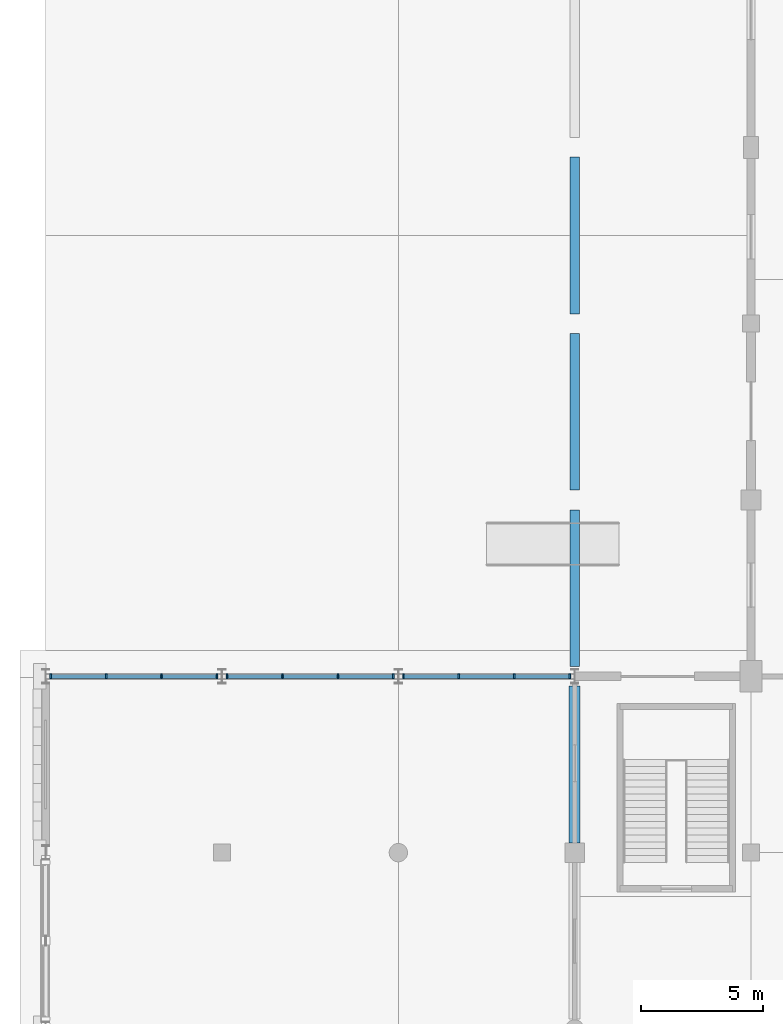
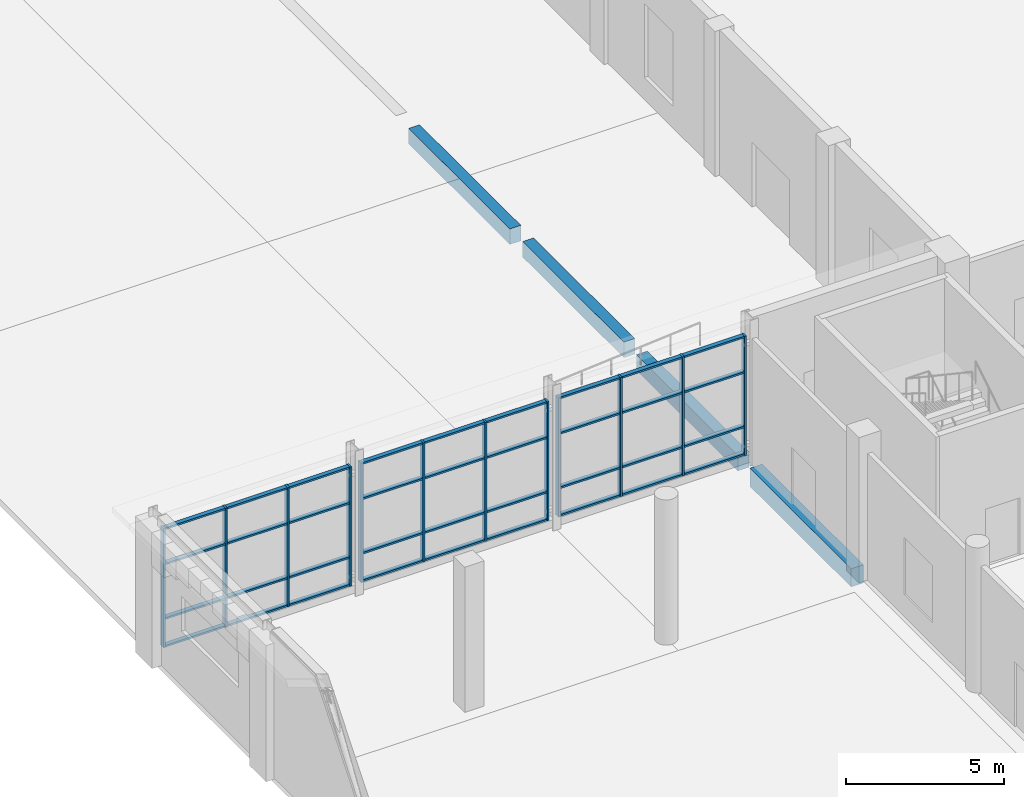
# One storey, part 20 of 85: 48 members, 4 beams, 3 elements without a shape of their own.
"""IFC4 building model written with IfcOpenShell, lengths in metres."""

import ifcopenshell
import ifcopenshell.guid

model = None  # the IFC model being written
_history = None  # IfcOwnerHistory: only IFC2X3 demands one
_inside = {}  # id of a spatial element -> (the spatial element, [elements in it])
_under = {}  # id of a project, library or spatial element -> (it, [spatial elements below it])
_declared = {}  # id of a project -> (the project, [libraries it declares])
_typed = {}  # id of a type object -> (the type object, [elements of that type])
_made_of = {}  # id of a material, layer set ... -> (it, [elements and type objects made of it])


def new_model(schema):
    """Start an empty IFC model of exactly this schema.

    Asked for "IFC4X3", IfcOpenShell would pick the latest addendum, in which some entities
    have other attributes; the version numbers below select the first issue.
    IFC2X3 requires an IfcOwnerHistory on every rooted entity: one is made here for all.
    """
    global model, _history
    if schema == "IFC4X3":
        model = ifcopenshell.file(schema_version=(4, 3, 0, 0))
    else:
        model = ifcopenshell.file(schema=schema)
    _inside.clear()
    _under.clear()
    _declared.clear()
    _typed.clear()
    _made_of.clear()
    _history = None
    if model.schema == "IFC2X3":
        org = make("IfcOrganization", Name="unknown")
        user = make(
            "IfcPersonAndOrganization",
            ThePerson=make("IfcPerson", FamilyName="unknown"),
            TheOrganization=org,
        )
        app = make(
            "IfcApplication",
            ApplicationDeveloper=org,
            Version="unknown",
            ApplicationFullName="unknown",
            ApplicationIdentifier="unknown",
        )
        _history = make(
            "IfcOwnerHistory",
            OwningUser=user,
            OwningApplication=app,
            ChangeAction="ADDED",
            CreationDate=0,
        )
    return model


def make(cls, **values):
    """One entity of the class cls with the attributes given. An attribute that is None is left unset."""
    return model.create_entity(
        cls, **{name: value for name, value in values.items() if value is not None}
    )


def rooted(cls, **values):
    """An entity with a GlobalId (a new one), such as an element, a storey or a relation."""
    return make(cls, GlobalId=ifcopenshell.guid.new(), OwnerHistory=_history, **values)


def si_unit(unit_type, name, prefix=None):
    """IfcSIUnit, for example si_unit("LENGTHUNIT", "METRE", prefix="MILLI")."""
    return make("IfcSIUnit", UnitType=unit_type, Prefix=prefix, Name=name)


def assignment(units):
    """IfcUnitAssignment: the units of a project."""
    return None if units is None else make("IfcUnitAssignment", Units=units)


def point(xyz):
    """IfcCartesianPoint."""
    return None if xyz is None else make("IfcCartesianPoint", Coordinates=xyz)


def direction(xyz):
    """IfcDirection."""
    return None if xyz is None else make("IfcDirection", DirectionRatios=xyz)


def frame(location, z_axis=None, x_axis=None):
    """IfcAxis2Placement3D, a coordinate frame: its origin and axes. An axis left out is left unset."""
    return make(
        "IfcAxis2Placement3D",
        Location=point(location),
        Axis=direction(z_axis),
        RefDirection=direction(x_axis),
    )


def frame_2d(location, x_axis=None):
    """IfcAxis2Placement2D, a coordinate frame in the plane: its origin and x axis."""
    return make(
        "IfcAxis2Placement2D", Location=point(location), RefDirection=direction(x_axis)
    )


def origin():
    """The frame at (0, 0, 0) with its axes left unset."""
    return frame((0.0, 0.0, 0.0))


def origin_2d():
    """The frame at (0, 0) in the plane with its x axis left unset."""
    return frame_2d((0.0, 0.0))


def place(relative_to, where):
    """IfcLocalPlacement: puts the frame where relative to a parent placement (None: the world)."""
    return make(
        "IfcLocalPlacement", PlacementRelTo=relative_to, RelativePlacement=where
    )


def context(
    kind, dimensions, precision=None, world=None, true_north=None, identifier=None
):
    """IfcGeometricRepresentationContext, for example the 3D "Model" context."""
    return make(
        "IfcGeometricRepresentationContext",
        ContextIdentifier=identifier,
        ContextType=kind,
        CoordinateSpaceDimension=dimensions,
        Precision=precision,
        WorldCoordinateSystem=world,
        TrueNorth=true_north,
    )


def subcontext(parent, identifier, kind, view, scale=None):
    """IfcGeometricRepresentationSubContext, for example "Body" below "Model"."""
    return make(
        "IfcGeometricRepresentationSubContext",
        ContextIdentifier=identifier,
        ContextType=kind,
        ParentContext=parent,
        TargetScale=scale,
        TargetView=view,
    )


def project(units=None, contexts=None):
    """IfcProject with its units and contexts."""
    return rooted(
        "IfcProject",
        Name="project",
        RepresentationContexts=contexts,
        UnitsInContext=assignment(units),
    )


def spatial(cls, under=None, at=None, **own):
    """A site, building, storey or space (cls), placed at a placement, below another one or the project."""
    s = rooted(cls, ObjectPlacement=at, **own)
    if under is not None:
        _under.setdefault(under.id(), (under, []))[1].append(s)
    return s


def profile(cls, at=None, kind="AREA", **sizes):
    """A parametric profile (cls). Its sizes go by their IFC names, for example OverallWidth=200.0."""
    return make(cls, ProfileType=kind, Position=at, **sizes)


def rectangle(**sizes):
    """IfcRectangleProfileDef."""
    return profile("IfcRectangleProfileDef", **sizes)


def extrude(swept, where, along, depth):
    """IfcExtrudedAreaSolid: the profile swept, set in the frame where, extruded along a direction by depth."""
    return make(
        "IfcExtrudedAreaSolid",
        SweptArea=swept,
        Position=where,
        ExtrudedDirection=direction(along),
        Depth=depth,
    )


def shape(context_of_items, identifier, shape_type, items):
    """IfcShapeRepresentation: the items that make up one representation, for example the "Body"."""
    return make(
        "IfcShapeRepresentation",
        ContextOfItems=context_of_items,
        RepresentationIdentifier=identifier,
        RepresentationType=shape_type,
        Items=items,
    )


def material(Name=None, Category=None):
    """IfcMaterial."""
    return make("IfcMaterial", Name=Name, Category=Category)


def material_profile(
    of_material, cross_section, Name=None, Category=None, Priority=None
):
    """IfcMaterialProfile: a cross section and its material."""
    return make(
        "IfcMaterialProfile",
        Name=Name,
        Material=of_material,
        Profile=cross_section,
        Priority=Priority,
        Category=Category,
    )


def profile_set(profiles, Name=None, composite=None):
    """IfcMaterialProfileSet."""
    return make(
        "IfcMaterialProfileSet",
        Name=Name,
        MaterialProfiles=profiles,
        CompositeProfile=composite,
    )


def made_of(thing, what):
    """Note that an element or type object is made of a material, layer set ...; save() writes the relation."""
    if what is not None:
        _made_of.setdefault(what.id(), (what, []))[1].append(thing)
    return thing


def type_object(cls, material=None, **own):
    """A type object (cls), such as IfcWallType, which elements share."""
    return made_of(rooted(cls, **own), material)


def element(
    cls,
    number,
    at=None,
    inside=None,
    cuts=None,
    type_object=None,
    material=None,
    context=None,
    identifier="Body",
    shape_type=None,
    held_by="IfcProductDefinitionShape",
    body=None,
    shapes=None,
    **own,
):
    """One element of the class cls, such as IfcWall. Its Tag is "e" and its number.

    at: its placement. inside: the storey or other place that contains it. cuts: it is an
    opening in that element (IfcRelVoidsElement). A single representation is given by context,
    identifier, shape_type and body (its items); several are given by shapes. held_by: the class
    of the entity that holds the representations. save() writes the other relations.
    """
    e = rooted(cls, Tag="e%d" % number, ObjectPlacement=at, **own)
    if body is not None:
        shapes = [shape(context, identifier, shape_type, body)]
    if shapes is not None:
        e.Representation = make(held_by, Representations=shapes)
    if inside is not None:
        _inside.setdefault(inside.id(), (inside, []))[1].append(e)
    if cuts is not None:
        rooted(
            "IfcRelVoidsElement", RelatingBuildingElement=cuts, RelatedOpeningElement=e
        )
    if type_object is not None:
        _typed.setdefault(type_object.id(), (type_object, []))[1].append(e)
    return made_of(e, material)


def aggregate(whole, parts):
    """IfcRelAggregates: a whole, such as a stair, and the parts it consists of."""
    return rooted("IfcRelAggregates", RelatingObject=whole, RelatedObjects=parts)


def save(model, path):
    """Write the relations noted so far, then the file.

    IfcRelAggregates (storeys below a building ...), IfcRelContainedInSpatialStructure (elements
    in a storey), IfcRelDefinesByType, IfcRelAssociatesMaterial and IfcRelDeclares: one each for
    every whole, place, type object, material and project.
    """
    for whole, parts in _under.values():
        aggregate(whole, parts)
    for where, things in _inside.values():
        rooted(
            "IfcRelContainedInSpatialStructure",
            RelatedElements=things,
            RelatingStructure=where,
        )
    for kind, things in _typed.values():
        rooted("IfcRelDefinesByType", RelatedObjects=things, RelatingType=kind)
    for what, things in _made_of.values():
        rooted("IfcRelAssociatesMaterial", RelatedObjects=things, RelatingMaterial=what)
    for by, libraries in _declared.values():
        rooted("IfcRelDeclares", RelatingContext=by, RelatedDefinitions=libraries)
    model.write(path)


model = new_model("IFC4")

# Units and contexts
model_context = context("Model", 3, precision=1e-05, world=origin(), true_north=direction((0.0, 1.0)))
body_context = subcontext(model_context, "Body", "Model", "MODEL_VIEW")
ifc_project = project(units=[si_unit("LENGTHUNIT", "METRE"), si_unit("AREAUNIT", "SQUARE_METRE"), si_unit("VOLUMEUNIT", "CUBIC_METRE"), si_unit("PLANEANGLEUNIT", "RADIAN"), si_unit("MASSUNIT", "GRAM", prefix="KILO")], contexts=[model_context])

# Site, building, storey
site_placement = place(None, origin())
site = spatial("IfcSite", under=ifc_project, at=site_placement, CompositionType="ELEMENT")
building_placement = place(site_placement, origin())
building = spatial("IfcBuilding", under=site, at=building_placement, Name="Sardonyx Promenade Sports Hall", CompositionType="ELEMENT")
storey_placement = place(building_placement, origin())
storey = spatial("IfcBuildingStorey", under=building, at=storey_placement, Name="L00", CompositionType="ELEMENT", Elevation=0.0)

# Beams
ifc_material_1 = material(Name="Concrete C40/50", Category="concrete")
ifc_material_profile_1 = material_profile(ifc_material_1, rectangle(XDim=0.449951171875, YDim=0.699951171875, at=origin_2d()))
ifc_profile_set_1 = profile_set([ifc_material_profile_1], Name="Concrete C40/50")
beam_type_1 = type_object("IfcBeamType", Name="Bm_Primary_RC700", PredefinedType="BEAM", material=ifc_profile_set_1)
beam_1_placement = place(storey_placement, frame((21.60009765625, 65.199951171875, -0.35009765625), z_axis=(0.0, 1.0, 0.0), x_axis=(-1.0, 0.0, 0.0)))
element("IfcBeam", 1, at=beam_1_placement, inside=storey, type_object=beam_type_1, Name="Beam BG01 L00 #132", PredefinedType="BEAM", context=body_context, shape_type="SweptSolid", body=[
    extrude(rectangle(XDim=0.449951171875, YDim=0.699951171875, at=origin_2d()), origin(), (0.0, 0.0, 1.0), 6.400146484375),
])
ifc_material_2 = material(Name="Concrete C40/50", Category="concrete")
ifc_material_profile_2 = material_profile(ifc_material_2, rectangle(XDim=0.39990234375, YDim=0.60009765625, at=origin_2d()))
ifc_profile_set_2 = profile_set([ifc_material_profile_2], Name="Concrete C40/50")
beam_type_2 = type_object("IfcBeamType", Name="Bm_Spandrel_RC600", PredefinedType="SPANDREL", material=ifc_profile_set_2)
beam_2_placement = place(storey_placement, frame((21.60009765625, 72.39990234375, -0.300048828125), z_axis=(0.0, 1.0, 0.0), x_axis=(-1.0, 0.0, 0.0)))
element("IfcBeam", 2, at=beam_2_placement, inside=storey, type_object=beam_type_2, Name="Beam SPB1 L00 #133", PredefinedType="SPANDREL", context=body_context, shape_type="SweptSolid", body=[
    extrude(rectangle(XDim=0.39990234375, YDim=0.60009765625, at=origin_2d()), origin(), (0.0, 0.0, 1.0), 6.400146484375),
])
for number, where, z_axis, x_axis, name in (
    (3, (21.60009765625, 79.60009765625, -0.300048828125), (0.0, 1.0, 0.0), (-1.0, 0.0, 0.0), "Beam SPB1 L00 #134"),
    (4, (21.60009765625, 86.800048828125, -0.300048828125), (0.0, 1.0, 0.0), (-1.0, 0.0, 0.0), "Beam SPB1 L00 #135"),
):
    element("IfcBeam", number, at=place(storey_placement, frame(where, z_axis=z_axis, x_axis=x_axis)), inside=storey, type_object=beam_type_2, Name=name, PredefinedType="SPANDREL", context=body_context, shape_type="SweptSolid", body=[
        extrude(rectangle(XDim=0.39990234375, YDim=0.60009765625, at=origin_2d()), origin(), (0.0, 0.0, 1.0), 6.39990234375),
    ])

# Curtain wall, members
ifc_material_3 = material(Name="Aluminium 6063-T6", Category="aluminium")
curtain_wall_type = type_object("IfcCurtainWallType", Name="CW_Climb_North_L00", PredefinedType="USERDEFINED", material=ifc_material_3)
curtain_wall_1_placement = place(storey_placement, origin())
curtain_wall_1 = element("IfcCurtainWall", 5, at=curtain_wall_1_placement, inside=storey, type_object=curtain_wall_type, Name="Curtain wall CW05 cw:L00:069", ObjectType="CURTAIN WALL", PredefinedType="USERDEFINED")
ifc_material_4 = material(Name="Aluminium 6063-T6", Category="aluminium")
ifc_material_profile_3 = material_profile(ifc_material_4, rectangle(XDim=0.070068359375, YDim=0.199951171875, at=origin_2d()))
ifc_profile_set_3 = profile_set([ifc_material_profile_3], Name="Aluminium 6063-T6")
member_type_1 = type_object("IfcMemberType", Name="CW_Mull_200", PredefinedType="MULLION", material=ifc_profile_set_3)
member_1_placement = place(storey_placement, frame((0.205078125, 72.0, 0.300048828125), z_axis=(0.0, 0.0, 1.0), x_axis=(1.0, 0.0, 0.0)))
member_1 = element("IfcMember", 6, at=member_1_placement, type_object=member_type_1, Name="Mullion CM03 cw:L00:069 #1", PredefinedType="MULLION", context=body_context, shape_type="SweptSolid", body=[
    extrude(rectangle(XDim=0.070068359375, YDim=0.199951171875, at=origin_2d()), origin(), (0.0, 0.0, 1.0), 4.599853515625),
])
member_2_placement = place(storey_placement, frame((2.46826171875, 72.0, 0.300048828125), z_axis=(0.0, 0.0, 1.0), x_axis=(1.0, 0.0, 0.0)))
member_2 = element("IfcMember", 7, at=member_2_placement, type_object=member_type_1, Name="Mullion CM03 cw:L00:069 #2", PredefinedType="MULLION", context=body_context, shape_type="SweptSolid", body=[
    extrude(rectangle(XDim=0.070068359375, YDim=0.199951171875, at=origin_2d()), origin(), (0.0, 0.0, 1.0), 4.599853515625),
])
member_3_placement = place(storey_placement, frame((4.731689453125, 72.0, 0.300048828125), z_axis=(0.0, 0.0, 1.0), x_axis=(1.0, 0.0, 0.0)))
member_3 = element("IfcMember", 8, at=member_3_placement, type_object=member_type_1, Name="Mullion CM03 cw:L00:069 #3", PredefinedType="MULLION", context=body_context, shape_type="SweptSolid", body=[
    extrude(rectangle(XDim=0.070068359375, YDim=0.199951171875, at=origin_2d()), origin(), (0.0, 0.0, 1.0), 4.599853515625),
])
member_4_placement = place(storey_placement, frame((6.9951171875, 72.0, 0.300048828125), z_axis=(0.0, 0.0, 1.0), x_axis=(1.0, 0.0, 0.0)))
member_4 = element("IfcMember", 9, at=member_4_placement, type_object=member_type_1, Name="Mullion CM03 cw:L00:069 #4", PredefinedType="MULLION", context=body_context, shape_type="SweptSolid", body=[
    extrude(rectangle(XDim=0.070068359375, YDim=0.199951171875, at=origin_2d()), origin(), (0.0, 0.0, 1.0), 4.599853515625),
])

curtain_wall_2_placement = place(storey_placement, origin())
curtain_wall_2 = element("IfcCurtainWall", 10, at=curtain_wall_2_placement, inside=storey, type_object=curtain_wall_type, Name="Curtain wall CW05 cw:L00:070", ObjectType="CURTAIN WALL", PredefinedType="USERDEFINED")
member_5_placement = place(storey_placement, frame((7.405029296875, 72.0, 0.300048828125), z_axis=(0.0, 0.0, 1.0), x_axis=(1.0, 0.0, 0.0)))
member_5 = element("IfcMember", 11, at=member_5_placement, type_object=member_type_1, Name="Mullion CM03 cw:L00:070 #1", PredefinedType="MULLION", context=body_context, shape_type="SweptSolid", body=[
    extrude(rectangle(XDim=0.070068359375, YDim=0.199951171875, at=origin_2d()), origin(), (0.0, 0.0, 1.0), 4.599853515625),
])
member_6_placement = place(storey_placement, frame((9.668212890625, 72.0, 0.300048828125), z_axis=(0.0, 0.0, 1.0), x_axis=(1.0, 0.0, 0.0)))
member_6 = element("IfcMember", 12, at=member_6_placement, type_object=member_type_1, Name="Mullion CM03 cw:L00:070 #2", PredefinedType="MULLION", context=body_context, shape_type="SweptSolid", body=[
    extrude(rectangle(XDim=0.070068359375, YDim=0.199951171875, at=origin_2d()), origin(), (0.0, 0.0, 1.0), 4.599853515625),
])
member_7_placement = place(storey_placement, frame((11.931640625, 72.0, 0.300048828125), z_axis=(0.0, 0.0, 1.0), x_axis=(1.0, 0.0, 0.0)))
member_7 = element("IfcMember", 13, at=member_7_placement, type_object=member_type_1, Name="Mullion CM03 cw:L00:070 #3", PredefinedType="MULLION", context=body_context, shape_type="SweptSolid", body=[
    extrude(rectangle(XDim=0.070068359375, YDim=0.199951171875, at=origin_2d()), origin(), (0.0, 0.0, 1.0), 4.599853515625),
])
member_8_placement = place(storey_placement, frame((14.195068359375, 72.0, 0.300048828125), z_axis=(0.0, 0.0, 1.0), x_axis=(1.0, 0.0, 0.0)))
member_8 = element("IfcMember", 14, at=member_8_placement, type_object=member_type_1, Name="Mullion CM03 cw:L00:070 #4", PredefinedType="MULLION", context=body_context, shape_type="SweptSolid", body=[
    extrude(rectangle(XDim=0.070068359375, YDim=0.199951171875, at=origin_2d()), origin(), (0.0, 0.0, 1.0), 4.599853515625),
])

curtain_wall_3_placement = place(storey_placement, origin())
curtain_wall_3 = element("IfcCurtainWall", 15, at=curtain_wall_3_placement, inside=storey, type_object=curtain_wall_type, Name="Curtain wall CW05 cw:L00:071", ObjectType="CURTAIN WALL", PredefinedType="USERDEFINED")
member_9_placement = place(storey_placement, frame((14.60498046875, 72.0, 0.300048828125), z_axis=(0.0, 0.0, 1.0), x_axis=(1.0, 0.0, 0.0)))
member_9 = element("IfcMember", 16, at=member_9_placement, type_object=member_type_1, Name="Mullion CM03 cw:L00:071 #1", PredefinedType="MULLION", context=body_context, shape_type="SweptSolid", body=[
    extrude(rectangle(XDim=0.070068359375, YDim=0.199951171875, at=origin_2d()), origin(), (0.0, 0.0, 1.0), 4.599853515625),
])
member_10_placement = place(storey_placement, frame((16.868408203125, 72.0, 0.300048828125), z_axis=(0.0, 0.0, 1.0), x_axis=(1.0, 0.0, 0.0)))
member_10 = element("IfcMember", 17, at=member_10_placement, type_object=member_type_1, Name="Mullion CM03 cw:L00:071 #2", PredefinedType="MULLION", context=body_context, shape_type="SweptSolid", body=[
    extrude(rectangle(XDim=0.070068359375, YDim=0.199951171875, at=origin_2d()), origin(), (0.0, 0.0, 1.0), 4.599853515625),
])
member_11_placement = place(storey_placement, frame((19.131591796875, 72.0, 0.300048828125), z_axis=(0.0, 0.0, 1.0), x_axis=(1.0, 0.0, 0.0)))
member_11 = element("IfcMember", 18, at=member_11_placement, type_object=member_type_1, Name="Mullion CM03 cw:L00:071 #3", PredefinedType="MULLION", context=body_context, shape_type="SweptSolid", body=[
    extrude(rectangle(XDim=0.070068359375, YDim=0.199951171875, at=origin_2d()), origin(), (0.0, 0.0, 1.0), 4.599853515625),
])
member_12_placement = place(storey_placement, frame((21.39501953125, 72.0, 0.300048828125), z_axis=(0.0, 0.0, 1.0), x_axis=(1.0, 0.0, 0.0)))
member_12 = element("IfcMember", 19, at=member_12_placement, type_object=member_type_1, Name="Mullion CM03 cw:L00:071 #4", PredefinedType="MULLION", context=body_context, shape_type="SweptSolid", body=[
    extrude(rectangle(XDim=0.070068359375, YDim=0.199951171875, at=origin_2d()), origin(), (0.0, 0.0, 1.0), 4.599853515625),
])

# Member
ifc_material_5 = material(Name="Aluminium 6063-T6", Category="aluminium")
ifc_material_profile_4 = material_profile(ifc_material_5, rectangle(XDim=0.070068359375, YDim=0.159912109375, at=origin_2d()))
ifc_profile_set_4 = profile_set([ifc_material_profile_4], Name="Aluminium 6063-T6")
member_type_2 = type_object("IfcMemberType", Name="CW_Tran_160", PredefinedType="USERDEFINED", material=ifc_profile_set_4)
member_13_placement = place(storey_placement, frame((0.239990234375, 72.0, 0.3349609375), z_axis=(1.0, 0.0, 0.0), x_axis=(0.0, 0.0, 1.0)))
member_13 = element("IfcMember", 20, at=member_13_placement, type_object=member_type_2, Name="Transom CT03 cw:L00:069 #1", ObjectType="TRANSOM", PredefinedType="USERDEFINED", context=body_context, shape_type="SweptSolid", body=[
    extrude(rectangle(XDim=0.070068359375, YDim=0.159912109375, at=origin_2d()), origin(), (0.0, 0.0, 1.0), 2.193359375),
])

member_14_placement = place(storey_placement, frame((0.239990234375, 72.0, 1.39990234375), z_axis=(1.0, 0.0, 0.0), x_axis=(0.0, 0.0, 1.0)))
member_14 = element("IfcMember", 21, at=member_14_placement, type_object=member_type_2, Name="Transom CT03 cw:L00:069 #2", ObjectType="TRANSOM", PredefinedType="USERDEFINED", context=body_context, shape_type="SweptSolid", body=[
    extrude(rectangle(XDim=0.070068359375, YDim=0.159912109375, at=origin_2d()), origin(), (0.0, 0.0, 1.0), 2.193359375),
])

member_15_placement = place(storey_placement, frame((0.239990234375, 72.0, 3.5), z_axis=(1.0, 0.0, 0.0), x_axis=(0.0, 0.0, 1.0)))
member_15 = element("IfcMember", 22, at=member_15_placement, type_object=member_type_2, Name="Transom CT03 cw:L00:069 #3", ObjectType="TRANSOM", PredefinedType="USERDEFINED", context=body_context, shape_type="SweptSolid", body=[
    extrude(rectangle(XDim=0.070068359375, YDim=0.159912109375, at=origin_2d()), origin(), (0.0, 0.0, 1.0), 2.193359375),
])

member_16_placement = place(storey_placement, frame((0.239990234375, 72.0, 4.864990234375), z_axis=(1.0, 0.0, 0.0), x_axis=(0.0, 0.0, 1.0)))
member_16 = element("IfcMember", 23, at=member_16_placement, type_object=member_type_2, Name="Transom CT03 cw:L00:069 #4", ObjectType="TRANSOM", PredefinedType="USERDEFINED", context=body_context, shape_type="SweptSolid", body=[
    extrude(rectangle(XDim=0.070068359375, YDim=0.159912109375, at=origin_2d()), origin(), (0.0, 0.0, 1.0), 2.193359375),
])

member_17_placement = place(storey_placement, frame((2.50341796875, 72.0, 0.3349609375), z_axis=(1.0, 0.0, 0.0), x_axis=(0.0, 0.0, 1.0)))
member_17 = element("IfcMember", 24, at=member_17_placement, type_object=member_type_2, Name="Transom CT03 cw:L00:069 #5", ObjectType="TRANSOM", PredefinedType="USERDEFINED", context=body_context, shape_type="SweptSolid", body=[
    extrude(rectangle(XDim=0.070068359375, YDim=0.159912109375, at=origin_2d()), origin(), (0.0, 0.0, 1.0), 2.193359375),
])

member_18_placement = place(storey_placement, frame((2.50341796875, 72.0, 1.39990234375), z_axis=(1.0, 0.0, 0.0), x_axis=(0.0, 0.0, 1.0)))
member_18 = element("IfcMember", 25, at=member_18_placement, type_object=member_type_2, Name="Transom CT03 cw:L00:069 #6", ObjectType="TRANSOM", PredefinedType="USERDEFINED", context=body_context, shape_type="SweptSolid", body=[
    extrude(rectangle(XDim=0.070068359375, YDim=0.159912109375, at=origin_2d()), origin(), (0.0, 0.0, 1.0), 2.193359375),
])

member_19_placement = place(storey_placement, frame((2.50341796875, 72.0, 3.5), z_axis=(1.0, 0.0, 0.0), x_axis=(0.0, 0.0, 1.0)))
member_19 = element("IfcMember", 26, at=member_19_placement, type_object=member_type_2, Name="Transom CT03 cw:L00:069 #7", ObjectType="TRANSOM", PredefinedType="USERDEFINED", context=body_context, shape_type="SweptSolid", body=[
    extrude(rectangle(XDim=0.070068359375, YDim=0.159912109375, at=origin_2d()), origin(), (0.0, 0.0, 1.0), 2.193359375),
])

member_20_placement = place(storey_placement, frame((2.50341796875, 72.0, 4.864990234375), z_axis=(1.0, 0.0, 0.0), x_axis=(0.0, 0.0, 1.0)))
member_20 = element("IfcMember", 27, at=member_20_placement, type_object=member_type_2, Name="Transom CT03 cw:L00:069 #8", ObjectType="TRANSOM", PredefinedType="USERDEFINED", context=body_context, shape_type="SweptSolid", body=[
    extrude(rectangle(XDim=0.070068359375, YDim=0.159912109375, at=origin_2d()), origin(), (0.0, 0.0, 1.0), 2.193359375),
])

member_21_placement = place(storey_placement, frame((4.7666015625, 72.0, 0.3349609375), z_axis=(1.0, 0.0, 0.0), x_axis=(0.0, 0.0, 1.0)))
member_21 = element("IfcMember", 28, at=member_21_placement, type_object=member_type_2, Name="Transom CT03 cw:L00:069 #9", ObjectType="TRANSOM", PredefinedType="USERDEFINED", context=body_context, shape_type="SweptSolid", body=[
    extrude(rectangle(XDim=0.070068359375, YDim=0.159912109375, at=origin_2d()), origin(), (0.0, 0.0, 1.0), 2.193359375),
])

member_22_placement = place(storey_placement, frame((4.7666015625, 72.0, 1.39990234375), z_axis=(1.0, 0.0, 0.0), x_axis=(0.0, 0.0, 1.0)))
member_22 = element("IfcMember", 29, at=member_22_placement, type_object=member_type_2, Name="Transom CT03 cw:L00:069 #10", ObjectType="TRANSOM", PredefinedType="USERDEFINED", context=body_context, shape_type="SweptSolid", body=[
    extrude(rectangle(XDim=0.070068359375, YDim=0.159912109375, at=origin_2d()), origin(), (0.0, 0.0, 1.0), 2.193359375),
])

member_23_placement = place(storey_placement, frame((4.7666015625, 72.0, 3.5), z_axis=(1.0, 0.0, 0.0), x_axis=(0.0, 0.0, 1.0)))
member_23 = element("IfcMember", 30, at=member_23_placement, type_object=member_type_2, Name="Transom CT03 cw:L00:069 #11", ObjectType="TRANSOM", PredefinedType="USERDEFINED", context=body_context, shape_type="SweptSolid", body=[
    extrude(rectangle(XDim=0.070068359375, YDim=0.159912109375, at=origin_2d()), origin(), (0.0, 0.0, 1.0), 2.193359375),
])

member_24_placement = place(storey_placement, frame((4.7666015625, 72.0, 4.864990234375), z_axis=(1.0, 0.0, 0.0), x_axis=(0.0, 0.0, 1.0)))
member_24 = element("IfcMember", 31, at=member_24_placement, type_object=member_type_2, Name="Transom CT03 cw:L00:069 #12", ObjectType="TRANSOM", PredefinedType="USERDEFINED", context=body_context, shape_type="SweptSolid", body=[
    extrude(rectangle(XDim=0.070068359375, YDim=0.159912109375, at=origin_2d()), origin(), (0.0, 0.0, 1.0), 2.193359375),
])

aggregate(curtain_wall_1, [member_1, member_2, member_3, member_4, member_13, member_14, member_15, member_16, member_17, member_18, member_19, member_20, member_21, member_22, member_23, member_24])

member_25_placement = place(storey_placement, frame((7.43994140625, 72.0, 0.3349609375), z_axis=(1.0, 0.0, 0.0), x_axis=(0.0, 0.0, 1.0)))
member_25 = element("IfcMember", 32, at=member_25_placement, type_object=member_type_2, Name="Transom CT03 cw:L00:070 #1", ObjectType="TRANSOM", PredefinedType="USERDEFINED", context=body_context, shape_type="SweptSolid", body=[
    extrude(rectangle(XDim=0.070068359375, YDim=0.159912109375, at=origin_2d()), origin(), (0.0, 0.0, 1.0), 2.193359375),
])

member_26_placement = place(storey_placement, frame((7.43994140625, 72.0, 1.39990234375), z_axis=(1.0, 0.0, 0.0), x_axis=(0.0, 0.0, 1.0)))
member_26 = element("IfcMember", 33, at=member_26_placement, type_object=member_type_2, Name="Transom CT03 cw:L00:070 #2", ObjectType="TRANSOM", PredefinedType="USERDEFINED", context=body_context, shape_type="SweptSolid", body=[
    extrude(rectangle(XDim=0.070068359375, YDim=0.159912109375, at=origin_2d()), origin(), (0.0, 0.0, 1.0), 2.193359375),
])

member_27_placement = place(storey_placement, frame((7.43994140625, 72.0, 3.5), z_axis=(1.0, 0.0, 0.0), x_axis=(0.0, 0.0, 1.0)))
member_27 = element("IfcMember", 34, at=member_27_placement, type_object=member_type_2, Name="Transom CT03 cw:L00:070 #3", ObjectType="TRANSOM", PredefinedType="USERDEFINED", context=body_context, shape_type="SweptSolid", body=[
    extrude(rectangle(XDim=0.070068359375, YDim=0.159912109375, at=origin_2d()), origin(), (0.0, 0.0, 1.0), 2.193359375),
])

member_28_placement = place(storey_placement, frame((7.43994140625, 72.0, 4.864990234375), z_axis=(1.0, 0.0, 0.0), x_axis=(0.0, 0.0, 1.0)))
member_28 = element("IfcMember", 35, at=member_28_placement, type_object=member_type_2, Name="Transom CT03 cw:L00:070 #4", ObjectType="TRANSOM", PredefinedType="USERDEFINED", context=body_context, shape_type="SweptSolid", body=[
    extrude(rectangle(XDim=0.070068359375, YDim=0.159912109375, at=origin_2d()), origin(), (0.0, 0.0, 1.0), 2.193359375),
])

member_29_placement = place(storey_placement, frame((9.703369140625, 72.0, 0.3349609375), z_axis=(1.0, 0.0, 0.0), x_axis=(0.0, 0.0, 1.0)))
member_29 = element("IfcMember", 36, at=member_29_placement, type_object=member_type_2, Name="Transom CT03 cw:L00:070 #5", ObjectType="TRANSOM", PredefinedType="USERDEFINED", context=body_context, shape_type="SweptSolid", body=[
    extrude(rectangle(XDim=0.070068359375, YDim=0.159912109375, at=origin_2d()), origin(), (0.0, 0.0, 1.0), 2.193359375),
])

member_30_placement = place(storey_placement, frame((9.703369140625, 72.0, 1.39990234375), z_axis=(1.0, 0.0, 0.0), x_axis=(0.0, 0.0, 1.0)))
member_30 = element("IfcMember", 37, at=member_30_placement, type_object=member_type_2, Name="Transom CT03 cw:L00:070 #6", ObjectType="TRANSOM", PredefinedType="USERDEFINED", context=body_context, shape_type="SweptSolid", body=[
    extrude(rectangle(XDim=0.070068359375, YDim=0.159912109375, at=origin_2d()), origin(), (0.0, 0.0, 1.0), 2.193359375),
])

member_31_placement = place(storey_placement, frame((9.703369140625, 72.0, 3.5), z_axis=(1.0, 0.0, 0.0), x_axis=(0.0, 0.0, 1.0)))
member_31 = element("IfcMember", 38, at=member_31_placement, type_object=member_type_2, Name="Transom CT03 cw:L00:070 #7", ObjectType="TRANSOM", PredefinedType="USERDEFINED", context=body_context, shape_type="SweptSolid", body=[
    extrude(rectangle(XDim=0.070068359375, YDim=0.159912109375, at=origin_2d()), origin(), (0.0, 0.0, 1.0), 2.193359375),
])

member_32_placement = place(storey_placement, frame((9.703369140625, 72.0, 4.864990234375), z_axis=(1.0, 0.0, 0.0), x_axis=(0.0, 0.0, 1.0)))
member_32 = element("IfcMember", 39, at=member_32_placement, type_object=member_type_2, Name="Transom CT03 cw:L00:070 #8", ObjectType="TRANSOM", PredefinedType="USERDEFINED", context=body_context, shape_type="SweptSolid", body=[
    extrude(rectangle(XDim=0.070068359375, YDim=0.159912109375, at=origin_2d()), origin(), (0.0, 0.0, 1.0), 2.193359375),
])

member_33_placement = place(storey_placement, frame((11.966552734375, 72.0, 0.3349609375), z_axis=(1.0, 0.0, 0.0), x_axis=(0.0, 0.0, 1.0)))
member_33 = element("IfcMember", 40, at=member_33_placement, type_object=member_type_2, Name="Transom CT03 cw:L00:070 #9", ObjectType="TRANSOM", PredefinedType="USERDEFINED", context=body_context, shape_type="SweptSolid", body=[
    extrude(rectangle(XDim=0.070068359375, YDim=0.159912109375, at=origin_2d()), origin(), (0.0, 0.0, 1.0), 2.193359375),
])

member_34_placement = place(storey_placement, frame((11.966552734375, 72.0, 1.39990234375), z_axis=(1.0, 0.0, 0.0), x_axis=(0.0, 0.0, 1.0)))
member_34 = element("IfcMember", 41, at=member_34_placement, type_object=member_type_2, Name="Transom CT03 cw:L00:070 #10", ObjectType="TRANSOM", PredefinedType="USERDEFINED", context=body_context, shape_type="SweptSolid", body=[
    extrude(rectangle(XDim=0.070068359375, YDim=0.159912109375, at=origin_2d()), origin(), (0.0, 0.0, 1.0), 2.193359375),
])

member_35_placement = place(storey_placement, frame((11.966552734375, 72.0, 3.5), z_axis=(1.0, 0.0, 0.0), x_axis=(0.0, 0.0, 1.0)))
member_35 = element("IfcMember", 42, at=member_35_placement, type_object=member_type_2, Name="Transom CT03 cw:L00:070 #11", ObjectType="TRANSOM", PredefinedType="USERDEFINED", context=body_context, shape_type="SweptSolid", body=[
    extrude(rectangle(XDim=0.070068359375, YDim=0.159912109375, at=origin_2d()), origin(), (0.0, 0.0, 1.0), 2.193359375),
])

member_36_placement = place(storey_placement, frame((11.966552734375, 72.0, 4.864990234375), z_axis=(1.0, 0.0, 0.0), x_axis=(0.0, 0.0, 1.0)))
member_36 = element("IfcMember", 43, at=member_36_placement, type_object=member_type_2, Name="Transom CT03 cw:L00:070 #12", ObjectType="TRANSOM", PredefinedType="USERDEFINED", context=body_context, shape_type="SweptSolid", body=[
    extrude(rectangle(XDim=0.070068359375, YDim=0.159912109375, at=origin_2d()), origin(), (0.0, 0.0, 1.0), 2.193359375),
])

aggregate(curtain_wall_2, [member_5, member_6, member_7, member_8, member_25, member_26, member_27, member_28, member_29, member_30, member_31, member_32, member_33, member_34, member_35, member_36])

member_37_placement = place(storey_placement, frame((14.639892578125, 72.0, 0.3349609375), z_axis=(1.0, 0.0, 0.0), x_axis=(0.0, 0.0, 1.0)))
member_37 = element("IfcMember", 44, at=member_37_placement, type_object=member_type_2, Name="Transom CT03 cw:L00:071 #1", ObjectType="TRANSOM", PredefinedType="USERDEFINED", context=body_context, shape_type="SweptSolid", body=[
    extrude(rectangle(XDim=0.070068359375, YDim=0.159912109375, at=origin_2d()), origin(), (0.0, 0.0, 1.0), 2.193359375),
])

member_38_placement = place(storey_placement, frame((14.639892578125, 72.0, 1.39990234375), z_axis=(1.0, 0.0, 0.0), x_axis=(0.0, 0.0, 1.0)))
member_38 = element("IfcMember", 45, at=member_38_placement, type_object=member_type_2, Name="Transom CT03 cw:L00:071 #2", ObjectType="TRANSOM", PredefinedType="USERDEFINED", context=body_context, shape_type="SweptSolid", body=[
    extrude(rectangle(XDim=0.070068359375, YDim=0.159912109375, at=origin_2d()), origin(), (0.0, 0.0, 1.0), 2.193359375),
])

member_39_placement = place(storey_placement, frame((14.639892578125, 72.0, 3.5), z_axis=(1.0, 0.0, 0.0), x_axis=(0.0, 0.0, 1.0)))
member_39 = element("IfcMember", 46, at=member_39_placement, type_object=member_type_2, Name="Transom CT03 cw:L00:071 #3", ObjectType="TRANSOM", PredefinedType="USERDEFINED", context=body_context, shape_type="SweptSolid", body=[
    extrude(rectangle(XDim=0.070068359375, YDim=0.159912109375, at=origin_2d()), origin(), (0.0, 0.0, 1.0), 2.193359375),
])

member_40_placement = place(storey_placement, frame((14.639892578125, 72.0, 4.864990234375), z_axis=(1.0, 0.0, 0.0), x_axis=(0.0, 0.0, 1.0)))
member_40 = element("IfcMember", 47, at=member_40_placement, type_object=member_type_2, Name="Transom CT03 cw:L00:071 #4", ObjectType="TRANSOM", PredefinedType="USERDEFINED", context=body_context, shape_type="SweptSolid", body=[
    extrude(rectangle(XDim=0.070068359375, YDim=0.159912109375, at=origin_2d()), origin(), (0.0, 0.0, 1.0), 2.193359375),
])

member_41_placement = place(storey_placement, frame((16.9033203125, 72.0, 0.3349609375), z_axis=(1.0, 0.0, 0.0), x_axis=(0.0, 0.0, 1.0)))
member_41 = element("IfcMember", 48, at=member_41_placement, type_object=member_type_2, Name="Transom CT03 cw:L00:071 #5", ObjectType="TRANSOM", PredefinedType="USERDEFINED", context=body_context, shape_type="SweptSolid", body=[
    extrude(rectangle(XDim=0.070068359375, YDim=0.159912109375, at=origin_2d()), origin(), (0.0, 0.0, 1.0), 2.193359375),
])

member_42_placement = place(storey_placement, frame((16.9033203125, 72.0, 1.39990234375), z_axis=(1.0, 0.0, 0.0), x_axis=(0.0, 0.0, 1.0)))
member_42 = element("IfcMember", 49, at=member_42_placement, type_object=member_type_2, Name="Transom CT03 cw:L00:071 #6", ObjectType="TRANSOM", PredefinedType="USERDEFINED", context=body_context, shape_type="SweptSolid", body=[
    extrude(rectangle(XDim=0.070068359375, YDim=0.159912109375, at=origin_2d()), origin(), (0.0, 0.0, 1.0), 2.193359375),
])

member_43_placement = place(storey_placement, frame((16.9033203125, 72.0, 3.5), z_axis=(1.0, 0.0, 0.0), x_axis=(0.0, 0.0, 1.0)))
member_43 = element("IfcMember", 50, at=member_43_placement, type_object=member_type_2, Name="Transom CT03 cw:L00:071 #7", ObjectType="TRANSOM", PredefinedType="USERDEFINED", context=body_context, shape_type="SweptSolid", body=[
    extrude(rectangle(XDim=0.070068359375, YDim=0.159912109375, at=origin_2d()), origin(), (0.0, 0.0, 1.0), 2.193359375),
])

member_44_placement = place(storey_placement, frame((16.9033203125, 72.0, 4.864990234375), z_axis=(1.0, 0.0, 0.0), x_axis=(0.0, 0.0, 1.0)))
member_44 = element("IfcMember", 51, at=member_44_placement, type_object=member_type_2, Name="Transom CT03 cw:L00:071 #8", ObjectType="TRANSOM", PredefinedType="USERDEFINED", context=body_context, shape_type="SweptSolid", body=[
    extrude(rectangle(XDim=0.070068359375, YDim=0.159912109375, at=origin_2d()), origin(), (0.0, 0.0, 1.0), 2.193359375),
])

member_45_placement = place(storey_placement, frame((19.166748046875, 72.0, 0.3349609375), z_axis=(1.0, 0.0, 0.0), x_axis=(0.0, 0.0, 1.0)))
member_45 = element("IfcMember", 52, at=member_45_placement, type_object=member_type_2, Name="Transom CT03 cw:L00:071 #9", ObjectType="TRANSOM", PredefinedType="USERDEFINED", context=body_context, shape_type="SweptSolid", body=[
    extrude(rectangle(XDim=0.070068359375, YDim=0.159912109375, at=origin_2d()), origin(), (0.0, 0.0, 1.0), 2.193359375),
])

member_46_placement = place(storey_placement, frame((19.166748046875, 72.0, 1.39990234375), z_axis=(1.0, 0.0, 0.0), x_axis=(0.0, 0.0, 1.0)))
member_46 = element("IfcMember", 53, at=member_46_placement, type_object=member_type_2, Name="Transom CT03 cw:L00:071 #10", ObjectType="TRANSOM", PredefinedType="USERDEFINED", context=body_context, shape_type="SweptSolid", body=[
    extrude(rectangle(XDim=0.070068359375, YDim=0.159912109375, at=origin_2d()), origin(), (0.0, 0.0, 1.0), 2.193359375),
])

member_47_placement = place(storey_placement, frame((19.166748046875, 72.0, 3.5), z_axis=(1.0, 0.0, 0.0), x_axis=(0.0, 0.0, 1.0)))
member_47 = element("IfcMember", 54, at=member_47_placement, type_object=member_type_2, Name="Transom CT03 cw:L00:071 #11", ObjectType="TRANSOM", PredefinedType="USERDEFINED", context=body_context, shape_type="SweptSolid", body=[
    extrude(rectangle(XDim=0.070068359375, YDim=0.159912109375, at=origin_2d()), origin(), (0.0, 0.0, 1.0), 2.193359375),
])

member_48_placement = place(storey_placement, frame((19.166748046875, 72.0, 4.864990234375), z_axis=(1.0, 0.0, 0.0), x_axis=(0.0, 0.0, 1.0)))
member_48 = element("IfcMember", 55, at=member_48_placement, type_object=member_type_2, Name="Transom CT03 cw:L00:071 #12", ObjectType="TRANSOM", PredefinedType="USERDEFINED", context=body_context, shape_type="SweptSolid", body=[
    extrude(rectangle(XDim=0.070068359375, YDim=0.159912109375, at=origin_2d()), origin(), (0.0, 0.0, 1.0), 2.193359375),
])

aggregate(curtain_wall_3, [member_9, member_10, member_11, member_12, member_37, member_38, member_39, member_40, member_41, member_42, member_43, member_44, member_45, member_46, member_47, member_48])

save(model, "model.ifc")
